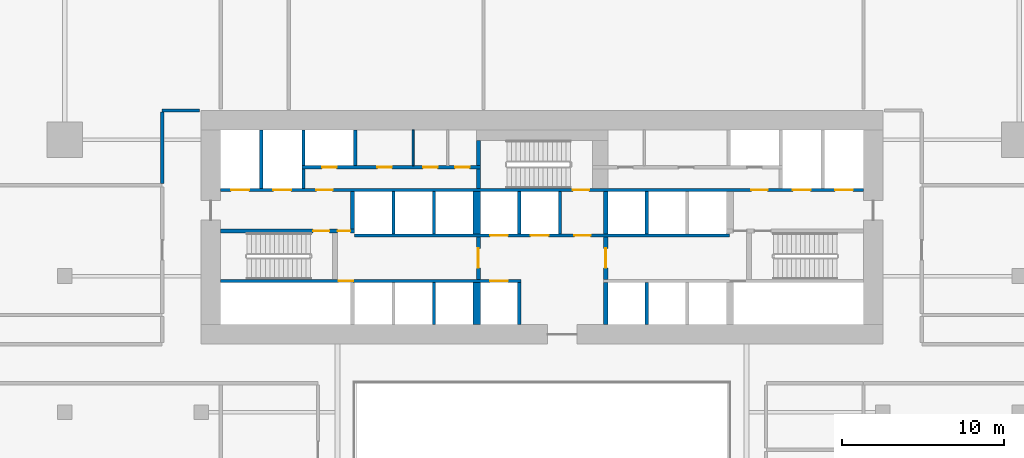
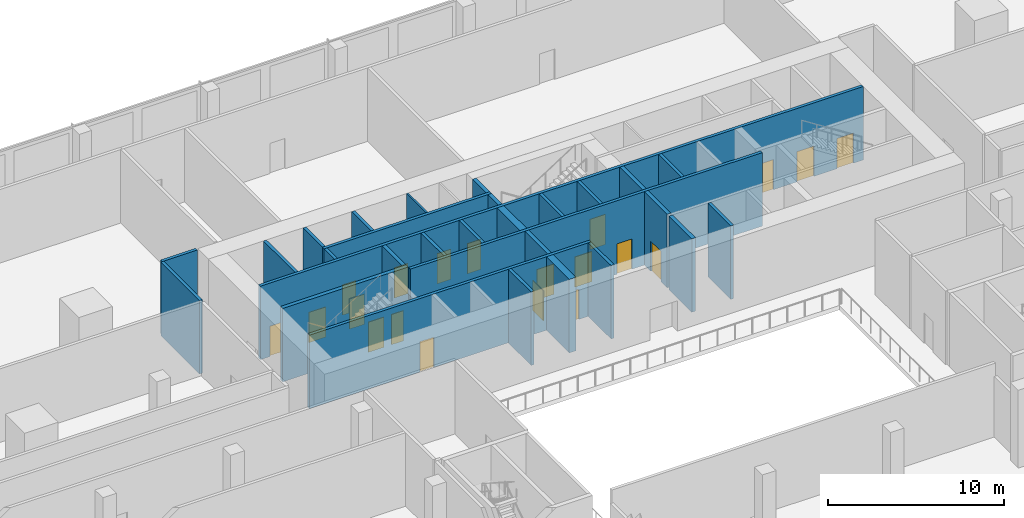
# One storey, part 28 of 39: 29 walls, 20 doors, 20 openings.
"""IFC4 building model written with IfcOpenShell, lengths in metres."""

from ifc_helpers import new_model, si_unit, direction, frame, frame_2d, origin, place, context, subcontext, project, spatial, rectangle, extrude, material, layer, layer_set, type_object, element, fill, save


model = new_model("IFC4")

# Units and contexts
model_context = context("Model", 3, precision=1e-05, world=origin(), true_north=direction((0.0, 1.0)))
body_context = subcontext(model_context, "Body", "Model", "MODEL_VIEW")
ifc_project = project(units=[si_unit("LENGTHUNIT", "METRE"), si_unit("AREAUNIT", "SQUARE_METRE"), si_unit("VOLUMEUNIT", "CUBIC_METRE"), si_unit("PLANEANGLEUNIT", "RADIAN"), si_unit("MASSUNIT", "GRAM", prefix="KILO")], contexts=[model_context])

# Site, building, storey
site_placement = place(None, origin())
site = spatial("IfcSite", under=ifc_project, at=site_placement, CompositionType="ELEMENT")
building_placement = place(site_placement, origin())
building = spatial("IfcBuilding", under=site, at=building_placement, Name="Saffron Gate Tower", CompositionType="ELEMENT")
storey_placement = place(building_placement, frame((0.0, 0.0, 9.0)))
storey = spatial("IfcBuildingStorey", under=building, at=storey_placement, Name="L01", CompositionType="ELEMENT", Elevation=9.0)

# Wall
ifc_material_1 = material(Name="Concrete C70", Category="concrete")
ifc_layer_1 = layer(ifc_material_1, 0.25)
ifc_layer_set_1 = layer_set([ifc_layer_1], Name="CW2 RC core wall 250 C70")
wall_type_1 = type_object("IfcWallType", Name="CW2 RC core wall 250 C70", PredefinedType="SOLIDWALL", material=ifc_layer_set_1)
wall_1_placement = place(storey_placement, frame((91.52490234375, 62.39990234375, 0.0), z_axis=(0.0, 0.0, 1.0), x_axis=(0.0, 1.0, 0.0)))
element("IfcWall", 1, at=wall_1_placement, inside=storey, type_object=wall_type_1, Name="Wall CW2-L01-10", PredefinedType="SOLIDWALL", context=body_context, shape_type="SweptSolid", body=[
    extrude(rectangle(XDim=2.60009765625, YDim=0.25, at=frame_2d((1.300048828125, 0.0))), origin(), (0.0, 0.0, 1.0), 5.10009765625),
])

# Wall, opening, door
wall_2_placement = place(storey_placement, frame((83.675048828125, 65.199951171875, 0.0), z_axis=(0.0, 0.0, 1.0), x_axis=(0.0, 1.0, 0.0)))
wall_2 = element("IfcWall", 2, at=wall_2_placement, inside=storey, type_object=wall_type_1, Name="Wall CW2-L01-17", PredefinedType="SOLIDWALL", context=body_context, shape_type="SweptSolid", body=[
    extrude(rectangle(XDim=2.60009765625, YDim=0.25, at=frame_2d((1.300048828125, 0.0))), origin(), (0.0, 0.0, 1.0), 5.10009765625),
])
opening_1_placement = place(wall_2_placement, frame((0.699951171875, 0.0, 0.0)))
opening_1 = element("IfcOpeningElement", 3, at=opening_1_placement, cuts=wall_2, Name="Opening CR-07", PredefinedType="OPENING", context=body_context, shape_type="SweptSolid", body=[
    extrude(rectangle(XDim=1.199951171875, YDim=2.10009765625, at=frame_2d((0.60009765625, 1.050048828125))), frame((0.0, 0.135009765625, 0.0), z_axis=(0.0, -1.0, 0.0), x_axis=(1.0, 0.0, 0.0)), (0.0, 0.0, 1.0), 0.27001953125),
])
ifc_material_2 = material(Name="Steel fire door set", Category="steel")
door_type_1 = type_object("IfcDoorType", Name="CD3 Lobby door 1200x2100 EI 120", OperationType="NOTDEFINED", PredefinedType="DOOR", material=ifc_material_2)
door_1_placement = place(opening_1_placement, origin())
door_1 = element("IfcDoor", 4, at=door_1_placement, inside=storey, type_object=door_type_1, Name="DOOR CR-07", OperationType="SINGLE_SWING_RIGHT", OverallHeight=2.10009765625, OverallWidth=1.199951171875, PredefinedType="DOOR", context=body_context, shape_type="SweptSolid", body=[
    extrude(rectangle(XDim=1.199951171875, YDim=2.10009765625, at=frame_2d((0.60009765625, 1.050048828125))), frame((0.0, 0.02490234375, 0.0), z_axis=(0.0, -1.0, 0.0), x_axis=(1.0, 0.0, 0.0)), (0.0, 0.0, 1.0), 0.050048828125),
])
fill(opening_1, door_1)

wall_3_placement = place(storey_placement, frame((91.52490234375, 65.199951171875, 0.0), z_axis=(0.0, 0.0, 1.0), x_axis=(0.0, 1.0, 0.0)))
wall_3 = element("IfcWall", 5, at=wall_3_placement, inside=storey, type_object=wall_type_1, Name="Wall CW2-L01-18", PredefinedType="SOLIDWALL", context=body_context, shape_type="SweptSolid", body=[
    extrude(rectangle(XDim=2.60009765625, YDim=0.25, at=frame_2d((1.300048828125, 0.0))), origin(), (0.0, 0.0, 1.0), 5.10009765625),
])
opening_2_placement = place(wall_3_placement, frame((0.699951171875, 0.0, 0.0)))
opening_2 = element("IfcOpeningElement", 6, at=opening_2_placement, cuts=wall_3, Name="Opening CR-01", PredefinedType="OPENING", context=body_context, shape_type="SweptSolid", body=[
    extrude(rectangle(XDim=1.199951171875, YDim=2.10009765625, at=frame_2d((0.60009765625, 1.050048828125))), frame((0.0, 0.135009765625, 0.0), z_axis=(0.0, -1.0, 0.0), x_axis=(1.0, 0.0, 0.0)), (0.0, 0.0, 1.0), 0.27001953125),
])
door_2_placement = place(opening_2_placement, origin())
door_2 = element("IfcDoor", 7, at=door_2_placement, inside=storey, type_object=door_type_1, Name="DOOR CR-01", OperationType="SINGLE_SWING_RIGHT", OverallHeight=2.10009765625, OverallWidth=1.199951171875, PredefinedType="DOOR", context=body_context, shape_type="SweptSolid", body=[
    extrude(rectangle(XDim=1.199951171875, YDim=2.10009765625, at=frame_2d((0.60009765625, 1.050048828125))), frame((0.0, 0.02490234375, 0.0), z_axis=(0.0, -1.0, 0.0), x_axis=(1.0, 0.0, 0.0)), (0.0, 0.0, 1.0), 0.050048828125),
])
fill(opening_2, door_2)

# Wall
wall_4_placement = place(storey_placement, frame((91.52490234375, 68.0, 0.0), z_axis=(0.0, 0.0, 1.0), x_axis=(0.0, 1.0, 0.0)))
element("IfcWall", 8, at=wall_4_placement, inside=storey, type_object=wall_type_1, Name="Wall CW2-L01-26", PredefinedType="SOLIDWALL", context=body_context, shape_type="SweptSolid", body=[
    extrude(rectangle(XDim=2.60009765625, YDim=0.25, at=frame_2d((1.300048828125, 0.0))), origin(), (0.0, 0.0, 1.0), 5.10009765625),
])

# Wall, openings, doors
wall_5_placement = place(storey_placement, frame((67.800048828125, 68.175048828125, 0.0), z_axis=(0.0, 0.0, 1.0), x_axis=(1.0, 0.0, 0.0)))
wall_5 = element("IfcWall", 9, at=wall_5_placement, inside=storey, type_object=wall_type_1, Name="Wall CW2-L01-30", PredefinedType="SOLIDWALL", context=body_context, shape_type="SweptSolid", body=[
    extrude(rectangle(XDim=8.25, YDim=0.25, at=frame_2d((4.125, 0.0))), origin(), (0.0, 0.0, 1.0), 5.10009765625),
])
opening_3_placement = place(wall_5_placement, frame((5.699951171875, 0.0, 0.0)))
opening_3 = element("IfcOpeningElement", 10, at=opening_3_placement, cuts=wall_5, Name="Opening CR-15", PredefinedType="OPENING", context=body_context, shape_type="SweptSolid", body=[
    extrude(rectangle(XDim=1.0, YDim=2.10009765625, at=frame_2d((0.5, 1.050048828125))), frame((0.0, 0.135009765625, 0.0), z_axis=(0.0, -1.0, 0.0), x_axis=(1.0, 0.0, 0.0)), (0.0, 0.0, 1.0), 0.27001953125),
])
opening_4_placement = place(wall_5_placement, frame((7.199951171875, 0.0, 0.0)))
opening_4 = element("IfcOpeningElement", 11, at=opening_4_placement, cuts=wall_5, Name="Opening CR-06", PredefinedType="OPENING", context=body_context, shape_type="SweptSolid", body=[
    extrude(rectangle(XDim=0.800048828125, YDim=2.10009765625, at=frame_2d((0.39990234375, 1.050048828125))), frame((0.0, 0.135009765625, 0.0), z_axis=(0.0, -1.0, 0.0), x_axis=(1.0, 0.0, 0.0)), (0.0, 0.0, 1.0), 0.27001953125),
])
door_type_2 = type_object("IfcDoorType", Name="CD5 Stair door 1000x2100 EI 120", OperationType="NOTDEFINED", PredefinedType="DOOR", material=ifc_material_2)
door_3_placement = place(opening_3_placement, origin())
door_3 = element("IfcDoor", 12, at=door_3_placement, inside=storey, type_object=door_type_2, Name="DOOR CR-15", OperationType="SINGLE_SWING_RIGHT", OverallHeight=2.10009765625, OverallWidth=1.0, PredefinedType="DOOR", context=body_context, shape_type="SweptSolid", body=[
    extrude(rectangle(XDim=1.0, YDim=2.10009765625, at=frame_2d((0.5, 1.050048828125))), frame((0.0, 0.02490234375, 0.0), z_axis=(0.0, -1.0, 0.0), x_axis=(1.0, 0.0, 0.0)), (0.0, 0.0, 1.0), 0.050048828125),
])
fill(opening_3, door_3)
door_type_3 = type_object("IfcDoorType", Name="CD6 Lobby door 800x2100 EI 120", OperationType="NOTDEFINED", PredefinedType="DOOR", material=ifc_material_2)
door_4_placement = place(opening_4_placement, origin())
door_4 = element("IfcDoor", 13, at=door_4_placement, inside=storey, type_object=door_type_3, Name="DOOR CR-06", OperationType="SINGLE_SWING_LEFT", OverallHeight=2.10009765625, OverallWidth=0.800048828125, PredefinedType="DOOR", context=body_context, shape_type="SweptSolid", body=[
    extrude(rectangle(XDim=0.800048828125, YDim=2.10009765625, at=frame_2d((0.39990234375, 1.050048828125))), frame((0.0, 0.02490234375, 0.0), z_axis=(0.0, -1.0, 0.0), x_axis=(1.0, 0.0, 0.0)), (0.0, 0.0, 1.0), 0.050048828125),
])
fill(opening_4, door_4)

# Walls
wall_6_placement = place(storey_placement, frame((75.925048828125, 68.300048828125, 0.0), z_axis=(0.0, 0.0, 1.0), x_axis=(0.0, 1.0, 0.0)))
element("IfcWall", 14, at=wall_6_placement, inside=storey, type_object=wall_type_1, Name="Wall CW2-L01-32", PredefinedType="SOLIDWALL", context=body_context, shape_type="SweptSolid", body=[
    extrude(rectangle(XDim=2.300048828125, YDim=0.25, at=frame_2d((1.14990234375, 0.0))), origin(), (0.0, 0.0, 1.0), 5.10009765625),
])
wall_7_placement = place(storey_placement, frame((83.675048828125, 70.800048828125, 0.0), z_axis=(0.0, 0.0, 1.0), x_axis=(0.0, 1.0, 0.0)))
element("IfcWall", 15, at=wall_7_placement, inside=storey, type_object=wall_type_1, Name="Wall CW2-L01-37", PredefinedType="SOLIDWALL", context=body_context, shape_type="SweptSolid", body=[
    extrude(rectangle(XDim=1.199951171875, YDim=0.25, at=frame_2d((0.60009765625, 0.0))), origin(), (0.0, 0.0, 1.0), 5.10009765625),
])
wall_8_placement = place(storey_placement, frame((83.675048828125, 72.199951171875, 0.0), z_axis=(0.0, 0.0, 1.0), x_axis=(0.0, 1.0, 0.0)))
element("IfcWall", 16, at=wall_8_placement, inside=storey, type_object=wall_type_1, Name="Wall CW2-L01-47", PredefinedType="SOLIDWALL", context=body_context, shape_type="SweptSolid", body=[
    extrude(rectangle(XDim=1.550048828125, YDim=0.25, at=frame_2d((0.77490234375, 0.0))), origin(), (0.0, 0.0, 1.0), 5.10009765625),
])
ifc_layer_2 = layer(ifc_material_1, 0.199951171875)
ifc_layer_set_2 = layer_set([ifc_layer_2], Name="CW3 RC core wall 200 C70")
wall_type_2 = type_object("IfcWallType", Name="CW3 RC core wall 200 C70", PredefinedType="SOLIDWALL", material=ifc_layer_set_2)
for number, where, z_axis, x_axis, name in (
    (17, (80.949951171875, 62.39990234375, 0.0), (0.0, 0.0, 1.0), (0.0, 1.0, 0.0), "Wall CW3-L01-7"),
    (18, (86.199951171875, 62.39990234375, 0.0), (0.0, 0.0, 1.0), (0.0, 1.0, 0.0), "Wall CW3-L01-9"),
    (19, (94.050048828125, 62.39990234375, 0.0), (0.0, 0.0, 1.0), (0.0, 1.0, 0.0), "Wall CW3-L01-11"),
):
    element("IfcWall", number, at=place(storey_placement, frame(where, z_axis=z_axis, x_axis=x_axis)), inside=storey, type_object=wall_type_2, Name=name, PredefinedType="SOLIDWALL", context=body_context, shape_type="SweptSolid", body=[
        extrude(rectangle(XDim=2.60009765625, YDim=0.199951171875, at=frame_2d((1.300048828125, 0.0))), origin(), (0.0, 0.0, 1.0), 5.10009765625),
    ])

# Wall, openings, doors
wall_9_placement = place(storey_placement, frame((67.800048828125, 65.10009765625, 0.0), z_axis=(0.0, 0.0, 1.0), x_axis=(1.0, 0.0, 0.0)))
wall_9 = element("IfcWall", 20, at=wall_9_placement, inside=storey, type_object=wall_type_2, Name="Wall CW3-L01-14", PredefinedType="SOLIDWALL", context=body_context, shape_type="SweptSolid", body=[
    extrude(rectangle(XDim=18.5, YDim=0.199951171875, at=frame_2d((9.25, 0.0))), origin(), (0.0, 0.0, 1.0), 5.10009765625),
])
opening_5_placement = place(wall_9_placement, frame((7.27001953125, 0.0, 0.0)))
opening_5 = element("IfcOpeningElement", 21, at=opening_5_placement, cuts=wall_9, Name="Opening CR-49", PredefinedType="OPENING", context=body_context, shape_type="SweptSolid", body=[
    extrude(rectangle(XDim=0.89990234375, YDim=2.10009765625, at=frame_2d((0.449951171875, 1.050048828125))), frame((0.0, 0.10986328125, 0.0), z_axis=(0.0, -1.0, 0.0), x_axis=(1.0, 0.0, 0.0)), (0.0, 0.0, 1.0), 0.219970703125),
])
opening_6_placement = place(wall_9_placement, frame((16.60009765625, 0.0, 0.0)))
opening_6 = element("IfcOpeningElement", 22, at=opening_6_placement, cuts=wall_9, Name="Opening LD-SL3", PredefinedType="OPENING", context=body_context, shape_type="SweptSolid", body=[
    extrude(rectangle(XDim=1.10009765625, YDim=2.10009765625, at=frame_2d((0.550048828125, 1.050048828125))), frame((0.0, 0.10986328125, 0.0), z_axis=(0.0, -1.0, 0.0), x_axis=(1.0, 0.0, 0.0)), (0.0, 0.0, 1.0), 0.219970703125),
])
door_type_4 = type_object("IfcDoorType", Name="CD2 Riser door 900x2100 EI 60", OperationType="NOTDEFINED", PredefinedType="DOOR", material=ifc_material_2)
door_5_placement = place(opening_5_placement, origin())
door_5 = element("IfcDoor", 23, at=door_5_placement, inside=storey, type_object=door_type_4, Name="DOOR CR-49", OperationType="SINGLE_SWING_LEFT", OverallHeight=2.10009765625, OverallWidth=0.89990234375, PredefinedType="DOOR", context=body_context, shape_type="SweptSolid", body=[
    extrude(rectangle(XDim=0.89990234375, YDim=2.10009765625, at=frame_2d((0.449951171875, 1.050048828125))), frame((0.0, 0.02490234375, 0.0), z_axis=(0.0, -1.0, 0.0), x_axis=(1.0, 0.0, 0.0)), (0.0, 0.0, 1.0), 0.050048828125),
])
fill(opening_5, door_5)
ifc_material_3 = material(Name="Stainless steel landing door", Category="steel")
door_type_5 = type_object("IfcDoorType", Name="LD Lift landing door 1100x2100 EI 120", OperationType="SLIDING_TO_LEFT", PredefinedType="DOOR", material=ifc_material_3)
door_6_placement = place(opening_6_placement, origin())
door_6 = element("IfcDoor", 24, at=door_6_placement, inside=storey, type_object=door_type_5, Name="LANDING DOOR LD-SL3", OperationType="SLIDING_TO_LEFT", OverallHeight=2.10009765625, OverallWidth=1.10009765625, PredefinedType="DOOR", context=body_context, shape_type="SweptSolid", body=[
    extrude(rectangle(XDim=1.10009765625, YDim=2.10009765625, at=frame_2d((0.550048828125, 1.050048828125))), frame((0.0, 0.02490234375, 0.0), z_axis=(0.0, -1.0, 0.0), x_axis=(1.0, 0.0, 0.0)), (0.0, 0.0, 1.0), 0.050048828125),
])
fill(opening_6, door_6)

wall_10_placement = place(storey_placement, frame((76.050048828125, 67.89990234375, 0.0), z_axis=(0.0, 0.0, 1.0), x_axis=(1.0, 0.0, 0.0)))
wall_10 = element("IfcWall", 25, at=wall_10_placement, inside=storey, type_object=wall_type_2, Name="Wall CW3-L01-20", PredefinedType="SOLIDWALL", context=body_context, shape_type="SweptSolid", body=[
    extrude(rectangle(XDim=23.099853515625, YDim=0.199951171875, at=frame_2d((11.5498046875, 0.0))), origin(), (0.0, 0.0, 1.0), 5.10009765625),
])
opening_7_placement = place(wall_10_placement, frame((8.35009765625, 0.0, 0.0)))
opening_7 = element("IfcOpeningElement", 26, at=opening_7_placement, cuts=wall_10, Name="Opening LD-SL1", PredefinedType="OPENING", context=body_context, shape_type="SweptSolid", body=[
    extrude(rectangle(XDim=1.10009765625, YDim=2.10009765625, at=frame_2d((0.550048828125, 1.050048828125))), frame((0.0, 0.10986328125, 0.0), z_axis=(0.0, -1.0, 0.0), x_axis=(1.0, 0.0, 0.0)), (0.0, 0.0, 1.0), 0.219970703125),
])
opening_8_placement = place(wall_10_placement, frame((10.85009765625, 0.0, 0.0)))
opening_8 = element("IfcOpeningElement", 27, at=opening_8_placement, cuts=wall_10, Name="Opening LD-SL2", PredefinedType="OPENING", context=body_context, shape_type="SweptSolid", body=[
    extrude(rectangle(XDim=1.10009765625, YDim=2.10009765625, at=frame_2d((0.550048828125, 1.050048828125))), frame((0.0, 0.10986328125, 0.0), z_axis=(0.0, -1.0, 0.0), x_axis=(1.0, 0.0, 0.0)), (0.0, 0.0, 1.0), 0.219970703125),
])
opening_9_placement = place(wall_10_placement, frame((13.550048828125, 0.0, 0.0)))
opening_9 = element("IfcOpeningElement", 28, at=opening_9_placement, cuts=wall_10, Name="Opening CR-02", PredefinedType="OPENING", context=body_context, shape_type="SweptSolid", body=[
    extrude(rectangle(XDim=1.0, YDim=2.10009765625, at=frame_2d((0.5, 1.050048828125))), frame((0.0, 0.10986328125, 0.0), z_axis=(0.0, -1.0, 0.0), x_axis=(1.0, 0.0, 0.0)), (0.0, 0.0, 1.0), 0.219970703125),
])
door_type_6 = type_object("IfcDoorType", Name="CD4 Lobby door 1000x2100 EI 120", OperationType="NOTDEFINED", PredefinedType="DOOR", material=ifc_material_2)
door_7_placement = place(opening_9_placement, origin())
door_7 = element("IfcDoor", 29, at=door_7_placement, inside=storey, type_object=door_type_6, Name="DOOR CR-02", OperationType="SINGLE_SWING_LEFT", OverallHeight=2.10009765625, OverallWidth=1.0, PredefinedType="DOOR", context=body_context, shape_type="SweptSolid", body=[
    extrude(rectangle(XDim=1.0, YDim=2.10009765625, at=frame_2d((0.5, 1.050048828125))), frame((0.0, 0.02490234375, 0.0), z_axis=(0.0, -1.0, 0.0), x_axis=(1.0, 0.0, 0.0)), (0.0, 0.0, 1.0), 0.050048828125),
])
fill(opening_9, door_7)
door_8_placement = place(opening_7_placement, origin())
door_8 = element("IfcDoor", 30, at=door_8_placement, inside=storey, type_object=door_type_5, Name="LANDING DOOR LD-SL1", OperationType="SLIDING_TO_RIGHT", OverallHeight=2.10009765625, OverallWidth=1.10009765625, PredefinedType="DOOR", context=body_context, shape_type="SweptSolid", body=[
    extrude(rectangle(XDim=1.10009765625, YDim=2.10009765625, at=frame_2d((0.550048828125, 1.050048828125))), frame((0.0, 0.02490234375, 0.0), z_axis=(0.0, -1.0, 0.0), x_axis=(1.0, 0.0, 0.0)), (0.0, 0.0, 1.0), 0.050048828125),
])
fill(opening_7, door_8)
door_9_placement = place(opening_8_placement, origin())
door_9 = element("IfcDoor", 31, at=door_9_placement, inside=storey, type_object=door_type_5, Name="LANDING DOOR LD-SL2", OperationType="SLIDING_TO_RIGHT", OverallHeight=2.10009765625, OverallWidth=1.10009765625, PredefinedType="DOOR", context=body_context, shape_type="SweptSolid", body=[
    extrude(rectangle(XDim=1.10009765625, YDim=2.10009765625, at=frame_2d((0.550048828125, 1.050048828125))), frame((0.0, 0.02490234375, 0.0), z_axis=(0.0, -1.0, 0.0), x_axis=(1.0, 0.0, 0.0)), (0.0, 0.0, 1.0), 0.050048828125),
])
fill(opening_8, door_9)

# Walls
for number, where, z_axis, x_axis, name in (
    (32, (78.449951171875, 68.0, 0.0), (0.0, 0.0, 1.0), (0.0, 1.0, 0.0), "Wall CW3-L01-21"),
    (33, (80.949951171875, 68.0, 0.0), (0.0, 0.0, 1.0), (0.0, 1.0, 0.0), "Wall CW3-L01-22"),
    (34, (86.199951171875, 68.0, 0.0), (0.0, 0.0, 1.0), (0.0, 1.0, 0.0), "Wall CW3-L01-24"),
    (35, (88.699951171875, 68.0, 0.0), (0.0, 0.0, 1.0), (0.0, 1.0, 0.0), "Wall CW3-L01-25"),
    (36, (94.050048828125, 68.0, 0.0), (0.0, 0.0, 1.0), (0.0, 1.0, 0.0), "Wall CW3-L01-27"),
):
    element("IfcWall", number, at=place(storey_placement, frame(where, z_axis=z_axis, x_axis=x_axis)), inside=storey, type_object=wall_type_2, Name=name, PredefinedType="SOLIDWALL", context=body_context, shape_type="SweptSolid", body=[
        extrude(rectangle(XDim=2.60009765625, YDim=0.199951171875, at=frame_2d((1.300048828125, 0.0))), origin(), (0.0, 0.0, 1.0), 5.10009765625),
    ])

# Wall, openings, doors
wall_11_placement = place(storey_placement, frame((67.800048828125, 70.699951171875, 0.0), z_axis=(0.0, 0.0, 1.0), x_axis=(1.0, 0.0, 0.0)))
wall_11 = element("IfcWall", 37, at=wall_11_placement, inside=storey, type_object=wall_type_2, Name="Wall CW3-L01-34", PredefinedType="SOLIDWALL", context=body_context, shape_type="SweptSolid", body=[
    extrude(rectangle(XDim=39.599853515625, YDim=0.199951171875, at=frame_2d((19.7998046875, 0.0))), origin(), (0.0, 0.0, 1.0), 5.10009765625),
])
opening_10_placement = place(wall_11_placement, frame((0.64990234375, 0.0, 0.0)))
opening_10 = element("IfcOpeningElement", 38, at=opening_10_placement, cuts=wall_11, Name="Opening LD-FF1", PredefinedType="OPENING", context=body_context, shape_type="SweptSolid", body=[
    extrude(rectangle(XDim=1.10009765625, YDim=2.10009765625, at=frame_2d((0.550048828125, 1.050048828125))), frame((0.0, 0.10986328125, 0.0), z_axis=(0.0, -1.0, 0.0), x_axis=(1.0, 0.0, 0.0)), (0.0, 0.0, 1.0), 0.219970703125),
])
opening_11_placement = place(wall_11_placement, frame((3.25, 0.0, 0.0)))
opening_11 = element("IfcOpeningElement", 39, at=opening_11_placement, cuts=wall_11, Name="Opening LD-SV1", PredefinedType="OPENING", context=body_context, shape_type="SweptSolid", body=[
    extrude(rectangle(XDim=1.10009765625, YDim=2.10009765625, at=frame_2d((0.550048828125, 1.050048828125))), frame((0.0, 0.10986328125, 0.0), z_axis=(0.0, -1.0, 0.0), x_axis=(1.0, 0.0, 0.0)), (0.0, 0.0, 1.0), 0.219970703125),
])
opening_12_placement = place(wall_11_placement, frame((5.89990234375, 0.0, 0.0)))
opening_12 = element("IfcOpeningElement", 40, at=opening_12_placement, cuts=wall_11, Name="Opening CR-03", PredefinedType="OPENING", context=body_context, shape_type="SweptSolid", body=[
    extrude(rectangle(XDim=1.0, YDim=2.10009765625, at=frame_2d((0.5, 1.050048828125))), frame((0.0, 0.10986328125, 0.0), z_axis=(0.0, -1.0, 0.0), x_axis=(1.0, 0.0, 0.0)), (0.0, 0.0, 1.0), 0.219970703125),
])
opening_13_placement = place(wall_11_placement, frame((21.699951171875, 0.0, 0.0)))
opening_13 = element("IfcOpeningElement", 41, at=opening_13_placement, cuts=wall_11, Name="Opening CR-17", PredefinedType="OPENING", context=body_context, shape_type="SweptSolid", body=[
    extrude(rectangle(XDim=1.0, YDim=2.10009765625, at=frame_2d((0.5, 1.050048828125))), frame((0.0, 0.10986328125, 0.0), z_axis=(0.0, -1.0, 0.0), x_axis=(1.0, 0.0, 0.0)), (0.0, 0.0, 1.0), 0.219970703125),
])
opening_14_placement = place(wall_11_placement, frame((32.699951171875, 0.0, 0.0)))
opening_14 = element("IfcOpeningElement", 42, at=opening_14_placement, cuts=wall_11, Name="Opening CR-04", PredefinedType="OPENING", context=body_context, shape_type="SweptSolid", body=[
    extrude(rectangle(XDim=1.0, YDim=2.10009765625, at=frame_2d((0.5, 1.050048828125))), frame((0.0, 0.10986328125, 0.0), z_axis=(0.0, -1.0, 0.0), x_axis=(1.0, 0.0, 0.0)), (0.0, 0.0, 1.0), 0.219970703125),
])
opening_15_placement = place(wall_11_placement, frame((35.25, 0.0, 0.0)))
opening_15 = element("IfcOpeningElement", 43, at=opening_15_placement, cuts=wall_11, Name="Opening LD-SV2", PredefinedType="OPENING", context=body_context, shape_type="SweptSolid", body=[
    extrude(rectangle(XDim=1.10009765625, YDim=2.10009765625, at=frame_2d((0.550048828125, 1.050048828125))), frame((0.0, 0.10986328125, 0.0), z_axis=(0.0, -1.0, 0.0), x_axis=(1.0, 0.0, 0.0)), (0.0, 0.0, 1.0), 0.219970703125),
])
opening_16_placement = place(wall_11_placement, frame((37.85009765625, 0.0, 0.0)))
opening_16 = element("IfcOpeningElement", 44, at=opening_16_placement, cuts=wall_11, Name="Opening LD-FF2", PredefinedType="OPENING", context=body_context, shape_type="SweptSolid", body=[
    extrude(rectangle(XDim=1.10009765625, YDim=2.10009765625, at=frame_2d((0.550048828125, 1.050048828125))), frame((0.0, 0.10986328125, 0.0), z_axis=(0.0, -1.0, 0.0), x_axis=(1.0, 0.0, 0.0)), (0.0, 0.0, 1.0), 0.219970703125),
])
door_10_placement = place(opening_12_placement, origin())
door_10 = element("IfcDoor", 45, at=door_10_placement, inside=storey, type_object=door_type_6, Name="DOOR CR-03", OperationType="SINGLE_SWING_LEFT", OverallHeight=2.10009765625, OverallWidth=1.0, PredefinedType="DOOR", context=body_context, shape_type="SweptSolid", body=[
    extrude(rectangle(XDim=1.0, YDim=2.10009765625, at=frame_2d((0.5, 1.050048828125))), frame((0.0, 0.02490234375, 0.0), z_axis=(0.0, -1.0, 0.0), x_axis=(1.0, 0.0, 0.0)), (0.0, 0.0, 1.0), 0.050048828125),
])
fill(opening_12, door_10)
door_11_placement = place(opening_14_placement, origin())
door_11 = element("IfcDoor", 46, at=door_11_placement, inside=storey, type_object=door_type_6, Name="DOOR CR-04", OperationType="SINGLE_SWING_RIGHT", OverallHeight=2.10009765625, OverallWidth=1.0, PredefinedType="DOOR", context=body_context, shape_type="SweptSolid", body=[
    extrude(rectangle(XDim=1.0, YDim=2.10009765625, at=frame_2d((0.5, 1.050048828125))), frame((0.0, 0.02490234375, 0.0), z_axis=(0.0, -1.0, 0.0), x_axis=(1.0, 0.0, 0.0)), (0.0, 0.0, 1.0), 0.050048828125),
])
fill(opening_14, door_11)
door_12_placement = place(opening_13_placement, origin())
door_12 = element("IfcDoor", 47, at=door_12_placement, inside=storey, type_object=door_type_2, Name="DOOR CR-17", OperationType="SINGLE_SWING_RIGHT", OverallHeight=2.10009765625, OverallWidth=1.0, PredefinedType="DOOR", context=body_context, shape_type="SweptSolid", body=[
    extrude(rectangle(XDim=1.0, YDim=2.10009765625, at=frame_2d((0.5, 1.050048828125))), frame((0.0, 0.02490234375, 0.0), z_axis=(0.0, -1.0, 0.0), x_axis=(1.0, 0.0, 0.0)), (0.0, 0.0, 1.0), 0.050048828125),
])
fill(opening_13, door_12)
door_13_placement = place(opening_10_placement, origin())
door_13 = element("IfcDoor", 48, at=door_13_placement, inside=storey, type_object=door_type_5, Name="LANDING DOOR LD-FF1", OperationType="SLIDING_TO_RIGHT", OverallHeight=2.10009765625, OverallWidth=1.10009765625, PredefinedType="DOOR", context=body_context, shape_type="SweptSolid", body=[
    extrude(rectangle(XDim=1.10009765625, YDim=2.10009765625, at=frame_2d((0.550048828125, 1.050048828125))), frame((0.0, 0.02490234375, 0.0), z_axis=(0.0, -1.0, 0.0), x_axis=(1.0, 0.0, 0.0)), (0.0, 0.0, 1.0), 0.050048828125),
])
fill(opening_10, door_13)
door_14_placement = place(opening_11_placement, origin())
door_14 = element("IfcDoor", 49, at=door_14_placement, inside=storey, type_object=door_type_5, Name="LANDING DOOR LD-SV1", OperationType="SLIDING_TO_RIGHT", OverallHeight=2.10009765625, OverallWidth=1.10009765625, PredefinedType="DOOR", context=body_context, shape_type="SweptSolid", body=[
    extrude(rectangle(XDim=1.10009765625, YDim=2.10009765625, at=frame_2d((0.550048828125, 1.050048828125))), frame((0.0, 0.02490234375, 0.0), z_axis=(0.0, -1.0, 0.0), x_axis=(1.0, 0.0, 0.0)), (0.0, 0.0, 1.0), 0.050048828125),
])
fill(opening_11, door_14)
door_15_placement = place(opening_15_placement, origin())
door_15 = element("IfcDoor", 50, at=door_15_placement, inside=storey, type_object=door_type_5, Name="LANDING DOOR LD-SV2", OperationType="SLIDING_TO_RIGHT", OverallHeight=2.10009765625, OverallWidth=1.10009765625, PredefinedType="DOOR", context=body_context, shape_type="SweptSolid", body=[
    extrude(rectangle(XDim=1.10009765625, YDim=2.10009765625, at=frame_2d((0.550048828125, 1.050048828125))), frame((0.0, 0.02490234375, 0.0), z_axis=(0.0, -1.0, 0.0), x_axis=(1.0, 0.0, 0.0)), (0.0, 0.0, 1.0), 0.050048828125),
])
fill(opening_15, door_15)
door_16_placement = place(opening_16_placement, origin())
door_16 = element("IfcDoor", 51, at=door_16_placement, inside=storey, type_object=door_type_5, Name="LANDING DOOR LD-FF2", OperationType="SLIDING_TO_RIGHT", OverallHeight=2.10009765625, OverallWidth=1.10009765625, PredefinedType="DOOR", context=body_context, shape_type="SweptSolid", body=[
    extrude(rectangle(XDim=1.10009765625, YDim=2.10009765625, at=frame_2d((0.550048828125, 1.050048828125))), frame((0.0, 0.02490234375, 0.0), z_axis=(0.0, -1.0, 0.0), x_axis=(1.0, 0.0, 0.0)), (0.0, 0.0, 1.0), 0.050048828125),
])
fill(opening_16, door_16)

# Walls
wall_12_placement = place(storey_placement, frame((70.300048828125, 70.800048828125, 0.0), z_axis=(0.0, 0.0, 1.0), x_axis=(0.0, 1.0, 0.0)))
element("IfcWall", 52, at=wall_12_placement, inside=storey, type_object=wall_type_2, Name="Wall CW3-L01-35", PredefinedType="SOLIDWALL", context=body_context, shape_type="SweptSolid", body=[
    extrude(rectangle(XDim=3.599853515625, YDim=0.199951171875, at=frame_2d((1.7998046875, 0.0))), origin(), (0.0, 0.0, 1.0), 5.10009765625),
])
wall_13_placement = place(storey_placement, frame((72.89990234375, 70.800048828125, 0.0), z_axis=(0.0, 0.0, 1.0), x_axis=(0.0, 1.0, 0.0)))
element("IfcWall", 53, at=wall_13_placement, inside=storey, type_object=wall_type_2, Name="Wall CW3-L01-36", PredefinedType="SOLIDWALL", context=body_context, shape_type="SweptSolid", body=[
    extrude(rectangle(XDim=1.199951171875, YDim=0.199951171875, at=frame_2d((0.60009765625, 0.0))), origin(), (0.0, 0.0, 1.0), 5.10009765625),
])

# Wall, openings, doors
wall_14_placement = place(storey_placement, frame((72.800048828125, 72.10009765625, 0.0), z_axis=(0.0, 0.0, 1.0), x_axis=(1.0, 0.0, 0.0)))
wall_14 = element("IfcWall", 54, at=wall_14_placement, inside=storey, type_object=wall_type_2, Name="Wall CW3-L01-41", PredefinedType="SOLIDWALL", context=body_context, shape_type="SweptSolid", body=[
    extrude(rectangle(XDim=11.0, YDim=0.199951171875, at=frame_2d((5.5, 0.0))), origin(), (0.0, 0.0, 1.0), 5.10009765625),
])
opening_17_placement = place(wall_14_placement, frame((1.25, 0.0, 0.0)))
opening_17 = element("IfcOpeningElement", 55, at=opening_17_placement, cuts=wall_14, Name="Opening CR-71", PredefinedType="OPENING", context=body_context, shape_type="SweptSolid", body=[
    extrude(rectangle(XDim=0.89990234375, YDim=2.10009765625, at=frame_2d((0.449951171875, 1.050048828125))), frame((0.0, 0.10986328125, 0.0), z_axis=(0.0, -1.0, 0.0), x_axis=(1.0, 0.0, 0.0)), (0.0, 0.0, 1.0), 0.219970703125),
])
opening_18_placement = place(wall_14_placement, frame((4.64990234375, 0.0, 0.0)))
opening_18 = element("IfcOpeningElement", 56, at=opening_18_placement, cuts=wall_14, Name="Opening CR-55", PredefinedType="OPENING", context=body_context, shape_type="SweptSolid", body=[
    extrude(rectangle(XDim=0.89990234375, YDim=2.10009765625, at=frame_2d((0.449951171875, 1.050048828125))), frame((0.0, 0.10986328125, 0.0), z_axis=(0.0, -1.0, 0.0), x_axis=(1.0, 0.0, 0.0)), (0.0, 0.0, 1.0), 0.219970703125),
])
opening_19_placement = place(wall_14_placement, frame((7.469970703125, 0.0, 0.0)))
opening_19 = element("IfcOpeningElement", 57, at=opening_19_placement, cuts=wall_14, Name="Opening CR-58", PredefinedType="OPENING", context=body_context, shape_type="SweptSolid", body=[
    extrude(rectangle(XDim=0.89990234375, YDim=2.10009765625, at=frame_2d((0.449951171875, 1.050048828125))), frame((0.0, 0.10986328125, 0.0), z_axis=(0.0, -1.0, 0.0), x_axis=(1.0, 0.0, 0.0)), (0.0, 0.0, 1.0), 0.219970703125),
])
opening_20_placement = place(wall_14_placement, frame((9.445068359375, 0.0, 0.0)))
opening_20 = element("IfcOpeningElement", 58, at=opening_20_placement, cuts=wall_14, Name="Opening CR-59", PredefinedType="OPENING", context=body_context, shape_type="SweptSolid", body=[
    extrude(rectangle(XDim=0.89990234375, YDim=2.10009765625, at=frame_2d((0.449951171875, 1.050048828125))), frame((0.0, 0.10986328125, 0.0), z_axis=(0.0, -1.0, 0.0), x_axis=(1.0, 0.0, 0.0)), (0.0, 0.0, 1.0), 0.219970703125),
])
door_17_placement = place(opening_17_placement, origin())
door_17 = element("IfcDoor", 59, at=door_17_placement, inside=storey, type_object=door_type_4, Name="DOOR CR-71", OperationType="SINGLE_SWING_LEFT", OverallHeight=2.10009765625, OverallWidth=0.89990234375, PredefinedType="DOOR", context=body_context, shape_type="SweptSolid", body=[
    extrude(rectangle(XDim=0.89990234375, YDim=2.10009765625, at=frame_2d((0.449951171875, 1.050048828125))), frame((0.0, 0.02490234375, 0.0), z_axis=(0.0, -1.0, 0.0), x_axis=(1.0, 0.0, 0.0)), (0.0, 0.0, 1.0), 0.050048828125),
])
fill(opening_17, door_17)
door_type_7 = type_object("IfcDoorType", Name="CD9 Room door 900x2100 EI 60", OperationType="NOTDEFINED", PredefinedType="DOOR", material=ifc_material_2)
door_18_placement = place(opening_18_placement, origin())
door_18 = element("IfcDoor", 60, at=door_18_placement, inside=storey, type_object=door_type_7, Name="DOOR CR-55", OperationType="SINGLE_SWING_LEFT", OverallHeight=2.10009765625, OverallWidth=0.89990234375, PredefinedType="DOOR", context=body_context, shape_type="SweptSolid", body=[
    extrude(rectangle(XDim=0.89990234375, YDim=2.10009765625, at=frame_2d((0.449951171875, 1.050048828125))), frame((0.0, 0.02490234375, 0.0), z_axis=(0.0, -1.0, 0.0), x_axis=(1.0, 0.0, 0.0)), (0.0, 0.0, 1.0), 0.050048828125),
])
fill(opening_18, door_18)
door_19_placement = place(opening_19_placement, origin())
door_19 = element("IfcDoor", 61, at=door_19_placement, inside=storey, type_object=door_type_7, Name="DOOR CR-58", OperationType="SINGLE_SWING_LEFT", OverallHeight=2.10009765625, OverallWidth=0.89990234375, PredefinedType="DOOR", context=body_context, shape_type="SweptSolid", body=[
    extrude(rectangle(XDim=0.89990234375, YDim=2.10009765625, at=frame_2d((0.449951171875, 1.050048828125))), frame((0.0, 0.02490234375, 0.0), z_axis=(0.0, -1.0, 0.0), x_axis=(1.0, 0.0, 0.0)), (0.0, 0.0, 1.0), 0.050048828125),
])
fill(opening_19, door_19)
door_20_placement = place(opening_20_placement, origin())
door_20 = element("IfcDoor", 62, at=door_20_placement, inside=storey, type_object=door_type_7, Name="DOOR CR-59", OperationType="SINGLE_SWING_LEFT", OverallHeight=2.10009765625, OverallWidth=0.89990234375, PredefinedType="DOOR", context=body_context, shape_type="SweptSolid", body=[
    extrude(rectangle(XDim=0.89990234375, YDim=2.10009765625, at=frame_2d((0.449951171875, 1.050048828125))), frame((0.0, 0.02490234375, 0.0), z_axis=(0.0, -1.0, 0.0), x_axis=(1.0, 0.0, 0.0)), (0.0, 0.0, 1.0), 0.050048828125),
])
fill(opening_20, door_20)

# Walls
for number, where, z_axis, x_axis, name in (
    (63, (72.89990234375, 72.199951171875, 0.0), (0.0, 0.0, 1.0), (0.0, 1.0, 0.0), "Wall CW3-L01-43"),
    (64, (76.10009765625, 72.199951171875, 0.0), (0.0, 0.0, 1.0), (0.0, 1.0, 0.0), "Wall CW3-L01-44"),
):
    element("IfcWall", number, at=place(storey_placement, frame(where, z_axis=z_axis, x_axis=x_axis)), inside=storey, type_object=wall_type_2, Name=name, PredefinedType="SOLIDWALL", context=body_context, shape_type="SweptSolid", body=[
        extrude(rectangle(XDim=2.199951171875, YDim=0.199951171875, at=frame_2d((1.10009765625, 0.0))), origin(), (0.0, 0.0, 1.0), 5.10009765625),
    ])
ifc_layer_3 = layer(ifc_material_1, 0.449951171875)
ifc_layer_set_3 = layer_set([ifc_layer_3], Name="CW4 RC core wall 450 C70")
wall_type_3 = type_object("IfcWallType", Name="CW4 RC core wall 450 C70", PredefinedType="SOLIDWALL", material=ifc_layer_set_3)
for number, where, z_axis, x_axis, name in (
    (65, (83.574951171875, 62.39990234375, 0.0), (0.0, 0.0, 1.0), (0.0, 1.0, 0.0), "Wall CW4-L01-8"),
    (66, (83.574951171875, 68.0, 0.0), (0.0, 0.0, 1.0), (0.0, 1.0, 0.0), "Wall CW4-L01-23"),
):
    element("IfcWall", number, at=place(storey_placement, frame(where, z_axis=z_axis, x_axis=x_axis)), inside=storey, type_object=wall_type_3, Name=name, PredefinedType="SOLIDWALL", context=body_context, shape_type="SweptSolid", body=[
        extrude(rectangle(XDim=2.60009765625, YDim=0.449951171875, at=frame_2d((1.300048828125, 0.0))), origin(), (0.0, 0.0, 1.0), 5.10009765625),
    ])
ifc_material_4 = material(Name="Gypsum board partition on steel studs", Category="steel")
ifc_layer_4 = layer(ifc_material_4, 0.1201171875)
ifc_layer_set_4 = layer_set([ifc_layer_4], Name="CW8 Core partition 120")
wall_type_4 = type_object("IfcWallType", Name="CW8 Core partition 120", PredefinedType="PARTITIONING", material=ifc_layer_set_4)
wall_15_placement = place(storey_placement, frame((79.659912109375, 72.199951171875, 0.0), z_axis=(0.0, 0.0, 1.0), x_axis=(0.0, 1.0, 0.0)))
element("IfcWall", 67, at=wall_15_placement, inside=storey, type_object=wall_type_4, Name="Wall CW8-L01-45", PredefinedType="PARTITIONING", context=body_context, shape_type="SweptSolid", body=[
    extrude(rectangle(XDim=2.199951171875, YDim=0.1201171875, at=frame_2d((1.10009765625, 0.0))), origin(), (0.0, 0.0, 1.0), 5.10009765625),
])
ifc_material_5 = material(Name="Clay brick masonry, rendered", Category="masonry")
ifc_layer_5 = layer(ifc_material_5, 0.199951171875)
ifc_layer_set_5 = layer_set([ifc_layer_5], Name="PW5 Room wall 200")
wall_type_5 = type_object("IfcWallType", Name="PW5 Room wall 200", PredefinedType="PARTITIONING", material=ifc_layer_set_5)
wall_16_placement = place(storey_placement, frame((64.199951171875, 75.60009765625, 0.0), z_axis=(0.0, 0.0, 1.0), x_axis=(1.0, 0.0, 0.0)))
element("IfcWall", 68, at=wall_16_placement, inside=storey, type_object=wall_type_5, Name="Wall P1-27", PredefinedType="PARTITIONING", context=body_context, shape_type="SweptSolid", body=[
    extrude(rectangle(XDim=2.300048828125, YDim=0.199951171875, at=frame_2d((1.14990234375, 0.0))), origin(), (0.0, 0.0, 1.0), 5.10009765625),
])
wall_17_placement = place(storey_placement, frame((64.199951171875, 75.5, 0.0), z_axis=(0.0, 0.0, 1.0), x_axis=(0.0, -1.0, 0.0)))
element("IfcWall", 69, at=wall_17_placement, inside=storey, type_object=wall_type_5, Name="Wall P1-45", PredefinedType="PARTITIONING", context=body_context, shape_type="SweptSolid", body=[
    extrude(rectangle(XDim=4.39990234375, YDim=0.199951171875, at=frame_2d((2.199951171875, 0.0))), origin(), (0.0, 0.0, 1.0), 5.10009765625),
])

save(model, "model.ifc")
